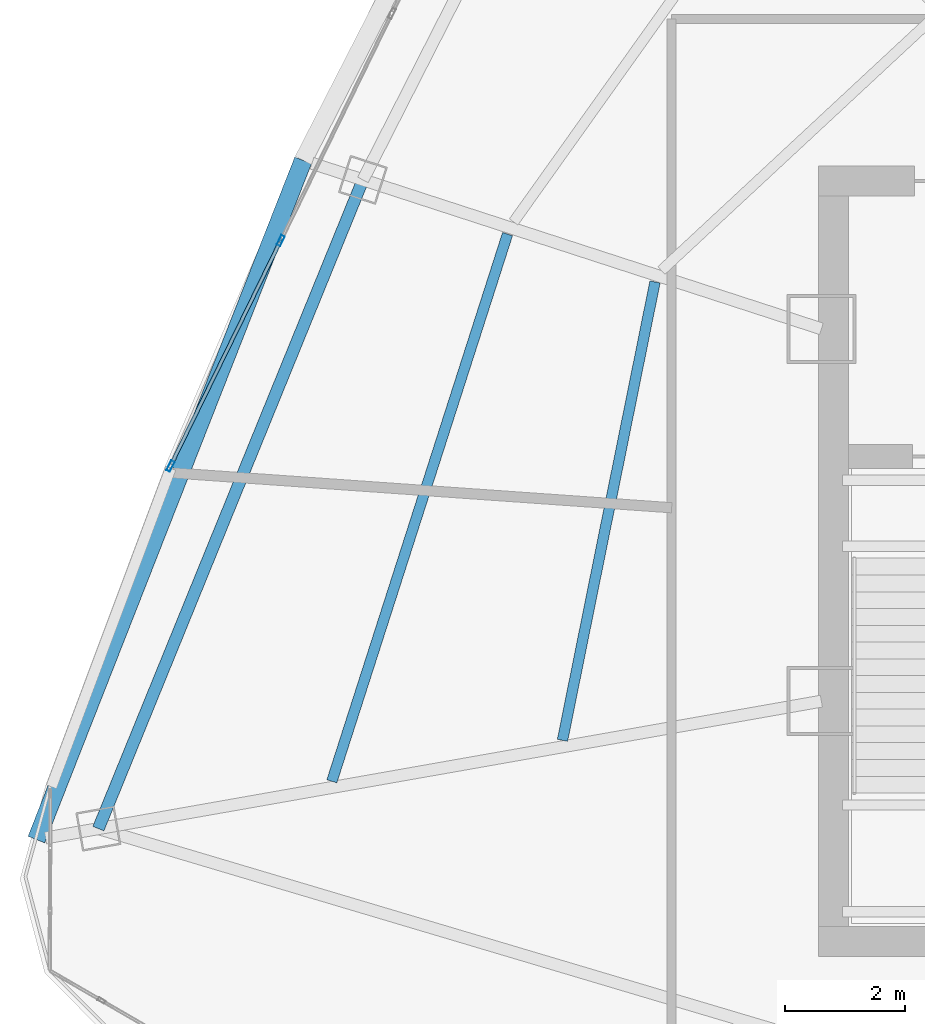
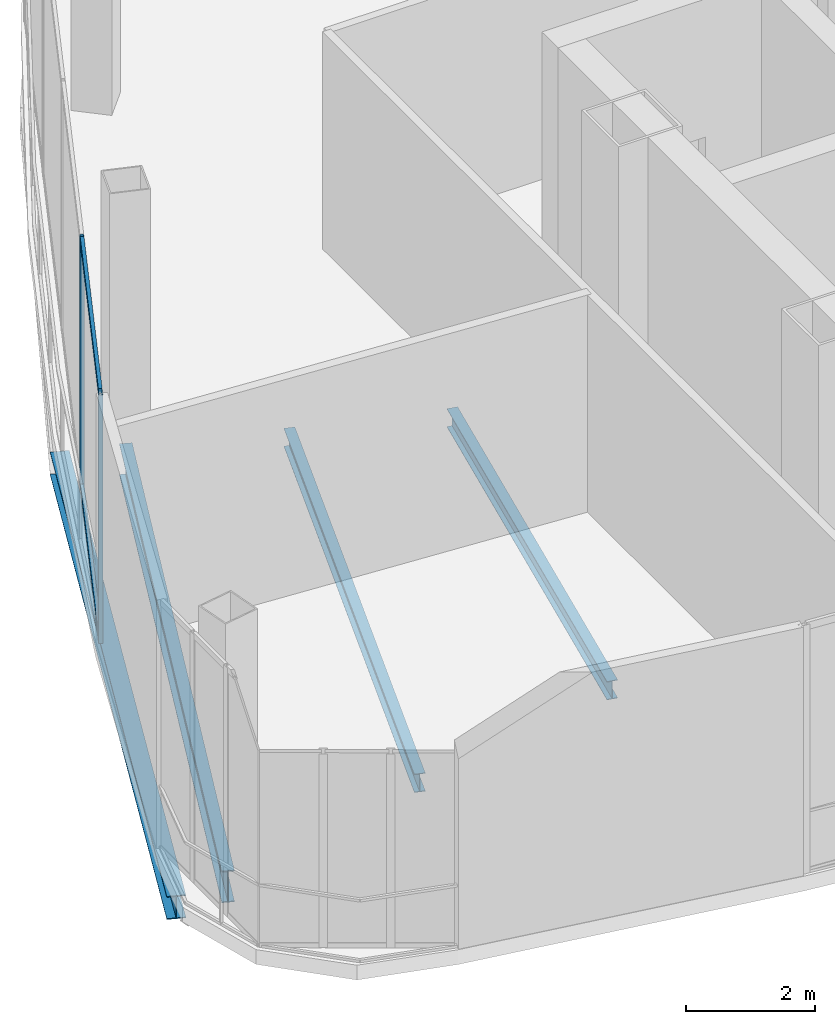
# One storey, part 6 of 33: 4 beams, 4 members, 1 element without a shape of its own.
"""IFC4 building model written with IfcOpenShell, lengths in metres."""

from ifc_helpers import new_model, si_unit, direction, frame, origin, origin_2d, place, context, subcontext, project, spatial, hollow_rectangle, i_section, extrude, source, transform, mapped, material, layer, layer_set, material_profile, profile_set, type_object, element, aggregate, save


model = new_model("IFC4")

# Units and contexts
model_context = context("Model", 3, precision=1e-05, world=origin(), true_north=direction((0.0, 1.0)))
body_context = subcontext(model_context, "Body", "Model", "MODEL_VIEW")
ifc_project = project(units=[si_unit("LENGTHUNIT", "METRE"), si_unit("AREAUNIT", "SQUARE_METRE"), si_unit("VOLUMEUNIT", "CUBIC_METRE"), si_unit("PLANEANGLEUNIT", "RADIAN"), si_unit("MASSUNIT", "GRAM", prefix="KILO"), si_unit("THERMODYNAMICTEMPERATUREUNIT", "KELVIN"), si_unit("POWERUNIT", "WATT")], contexts=[model_context])

# Site, building, storey
site_placement = place(None, origin())
site = spatial("IfcSite", under=ifc_project, at=site_placement, CompositionType="ELEMENT")
building_placement = place(site_placement, origin())
building = spatial("IfcBuilding", under=site, at=building_placement, Name="Yunzhuo Pagoda Commons", CompositionType="ELEMENT")
storey_placement = place(building_placement, frame((0.0, 0.0, 391.760009765625)))
storey = spatial("IfcBuildingStorey", under=building, at=storey_placement, Name="L97", CompositionType="ELEMENT", Elevation=391.760009765625)

# Beams
ifc_material_1 = material(Name="Structural steel Q355B", Category="steel")
ifc_material_profile_1 = material_profile(ifc_material_1, i_section(OverallWidth=0.199951171875, OverallDepth=0.60009765625, WebThickness=0.010986328125, FlangeThickness=0.01708984375, at=origin_2d()), Name="Structural steel Q355B")
ifc_profile_set_1 = profile_set([ifc_material_profile_1], Name="Structural steel Q355B")
beam_type_1 = type_object("IfcBeamType", Name="B-RG3 Beam HN 600x200x11x17", PredefinedType="BEAM", material=ifc_profile_set_1)
shared_shape_1 = source(origin(), body_context, "Body", "SweptSolid", [
    extrude(i_section(OverallWidth=0.199951171875, OverallDepth=0.60009765625, WebThickness=0.010986328125, FlangeThickness=0.01708984375, at=origin_2d()), origin(), (0.0, 0.0, 1.0), 11.696533203125),
])
beam_1_placement = place(storey_placement, frame((27.946533203125, 40.2158203125, -0.580078125), z_axis=(-0.377611800863, -0.925963999219, 0.0), x_axis=(0.925963999219, -0.377611800863, 0.0)))
element("IfcBeam", 1, at=beam_1_placement, inside=storey, type_object=beam_type_1, Name="L97 column-ring beam 11", PredefinedType="BEAM", context=body_context, shape_type="MappedRepresentation", body=[
    mapped(shared_shape_1, transform((0.0, 0.0, 0.0), scale=1.0)),
])
ifc_material_profile_2 = material_profile(ifc_material_1, i_section(OverallWidth=0.175048828125, OverallDepth=0.35009765625, WebThickness=0.007080078125, FlangeThickness=0.010986328125, at=origin_2d()), Name="Structural steel Q355B")
ifc_profile_set_2 = profile_set([ifc_material_profile_2], Name="Structural steel Q355B")
beam_type_2 = type_object("IfcBeamType", Name="B-JS2 Joist HN 350x175x7x11", PredefinedType="JOIST", material=ifc_profile_set_2)
shared_shape_2 = source(origin(), body_context, "Body", "SweptSolid", [
    extrude(i_section(OverallWidth=0.175048828125, OverallDepth=0.35009765625, WebThickness=0.007080078125, FlangeThickness=0.010986328125, at=origin_2d()), origin(), (0.0, 0.0, 1.0), 7.8056640625),
])
beam_2_placement = place(storey_placement, frame((32.822265625, 38.511474609375, -0.455078125), z_axis=(-0.197890187791, -0.980224195568, 0.0), x_axis=(0.980224195568, -0.197890187791, 0.0)))
element("IfcBeam", 2, at=beam_2_placement, inside=storey, type_object=beam_type_2, Name="L97 composite ring joist 1.11", PredefinedType="JOIST", context=body_context, shape_type="MappedRepresentation", body=[
    mapped(shared_shape_2, transform((0.0, 0.0, 0.0), scale=1.0)),
])
shared_shape_3 = source(origin(), body_context, "Body", "SweptSolid", [
    extrude(i_section(OverallWidth=0.175048828125, OverallDepth=0.35009765625, WebThickness=0.007080078125, FlangeThickness=0.010986328125, at=origin_2d()), origin(), (0.0, 0.0, 1.0), 9.593994140625),
])
beam_3_placement = place(storey_placement, frame((30.360595703125, 39.310546875, -0.455078125), z_axis=(-0.305719218499, -0.952121714614, 0.0), x_axis=(0.952121714614, -0.305719218499, 0.0)))
element("IfcBeam", 3, at=beam_3_placement, inside=storey, type_object=beam_type_2, Name="L97 composite ring joist 2.11", PredefinedType="JOIST", context=body_context, shape_type="MappedRepresentation", body=[
    mapped(shared_shape_3, transform((0.0, 0.0, 0.0), scale=1.0)),
])
ifc_material_profile_3 = material_profile(ifc_material_1, i_section(OverallWidth=0.300048828125, OverallDepth=0.43994140625, WebThickness=0.010986328125, FlangeThickness=0.01806640625, at=origin_2d()), Name="Structural steel Q355B")
ifc_profile_set_3 = profile_set([ifc_material_profile_3], Name="Structural steel Q355B")
beam_type_3 = type_object("IfcBeamType", Name="B-SP2 Beam HM 440x300x11x18", PredefinedType="BEAM", material=ifc_profile_set_3)
shared_shape_4 = source(origin(), body_context, "Body", "SweptSolid", [
    extrude(i_section(OverallWidth=0.300048828125, OverallDepth=0.43994140625, WebThickness=0.010986328125, FlangeThickness=0.01806640625, at=origin_2d()), origin(), (0.0, 0.0, 1.0), 12.18017578125),
])
beam_4_placement = place(storey_placement, frame((26.947998046875, 40.540283203125, -0.5), z_axis=(-0.365522138301, -0.930802646328, 0.0), x_axis=(0.930802646328, -0.365522138301, 0.0)))
element("IfcBeam", 4, at=beam_4_placement, inside=storey, type_object=beam_type_3, Name="L97 facade edge spandrel beam F3.3", PredefinedType="BEAM", context=body_context, shape_type="MappedRepresentation", body=[
    mapped(shared_shape_4, transform((0.0, 0.0, 0.0), scale=1.0)),
])

# Curtain wall, members
ifc_material_2 = material(Name="Anodized aluminium 6063-T6", Category="aluminium")
ifc_layer = layer(ifc_material_2, 0.179931640625)
ifc_layer_set = layer_set([ifc_layer], Name="Anodized aluminium 6063-T6")
curtain_wall_type = type_object("IfcCurtainWallType", Name="CW-CRN Crown Gable Glazing System", PredefinedType="NOTDEFINED", material=ifc_layer_set)
curtain_wall_placement = place(storey_placement, origin())
curtain_wall = element("IfcCurtainWall", 5, at=curtain_wall_placement, inside=storey, type_object=curtain_wall_type, Name="L97 curtain wall CW-L97-CRNF3G2", PredefinedType="NOTDEFINED")
ifc_material_profile_4 = material_profile(ifc_material_2, hollow_rectangle(XDim=0.06494140625, YDim=0.179931640625, WallThickness=0.00390625, at=origin_2d()), Name="Anodized aluminium 6063-T6")
ifc_profile_set_4 = profile_set([ifc_material_profile_4], Name="Anodized aluminium 6063-T6")
member_type_1 = type_object("IfcMemberType", Name="CW-CRN-M Mullion RHS 180x65x4", PredefinedType="MULLION", material=ifc_profile_set_4)
shared_shape_5 = source(origin(), body_context, "Body", "SweptSolid", [
    extrude(hollow_rectangle(XDim=0.06494140625, YDim=0.179931640625, WallThickness=0.00390625, at=origin_2d()), origin(), (0.0, 0.0, 1.0), 4.72021484375),
])
member_1_placement = place(storey_placement, frame((26.57421875, 39.20263671875, 0.0), z_axis=(0.0, 0.0, 1.0), x_axis=(0.898299261226, -0.439384156839, 0.0)))
member_1 = element("IfcMember", 6, at=member_1_placement, type_object=member_type_1, Name="CW mullion 4", PredefinedType="MULLION", context=body_context, shape_type="MappedRepresentation", body=[
    mapped(shared_shape_5, transform((0.0, 0.0, 0.0), scale=1.0)),
])
member_2_placement = place(storey_placement, frame((24.733154296875, 35.4384765625, 0.0), z_axis=(0.0, 0.0, 1.0), x_axis=(0.898299261226, -0.439384156839, 0.0)))
member_2 = element("IfcMember", 7, at=member_2_placement, type_object=member_type_1, Name="CW mullion 5", PredefinedType="MULLION", context=body_context, shape_type="MappedRepresentation", body=[
    mapped(shared_shape_5, transform((0.0, 0.0, 0.0), scale=1.0)),
])
ifc_material_profile_5 = material_profile(ifc_material_2, hollow_rectangle(XDim=0.06005859375, YDim=0.139892578125, WallThickness=0.00341796875, at=origin_2d()), Name="Anodized aluminium 6063-T6")
ifc_profile_set_5 = profile_set([ifc_material_profile_5], Name="Anodized aluminium 6063-T6")
member_type_2 = type_object("IfcMemberType", Name="CW-CRN-T Transom RHS 140x60x3.5", PredefinedType="USERDEFINED", material=ifc_profile_set_5)
shared_shape_6 = source(origin(), body_context, "Body", "SweptSolid", [
    extrude(hollow_rectangle(XDim=0.06005859375, YDim=0.139892578125, WallThickness=0.00341796875, at=origin_2d()), origin(), (0.0, 0.0, 1.0), 4.125244140625),
])
member_3_placement = place(storey_placement, frame((26.56005859375, 39.17333984375, 0.030029296875), z_axis=(-0.439360850233, -0.898310660787, 0.0), x_axis=(0.898310660787, -0.439360850233, 0.0)))
member_3 = element("IfcMember", 8, at=member_3_placement, type_object=member_type_2, Name="CW transom 4.1", ObjectType="TRANSOM", PredefinedType="USERDEFINED", context=body_context, shape_type="MappedRepresentation", body=[
    mapped(shared_shape_6, transform((0.0, 0.0, 0.0), scale=1.0)),
])
member_4_placement = place(storey_placement, frame((26.56005859375, 39.17333984375, 4.68994140625), z_axis=(-0.439360850233, -0.898310660787, 0.0), x_axis=(0.898310660787, -0.439360850233, 0.0)))
member_4 = element("IfcMember", 9, at=member_4_placement, type_object=member_type_2, Name="CW transom 4.2", ObjectType="TRANSOM", PredefinedType="USERDEFINED", context=body_context, shape_type="MappedRepresentation", body=[
    mapped(shared_shape_6, transform((0.0, 0.0, 0.0), scale=1.0)),
])
aggregate(curtain_wall, [member_1, member_2, member_3, member_4])

save(model, "model.ifc")
